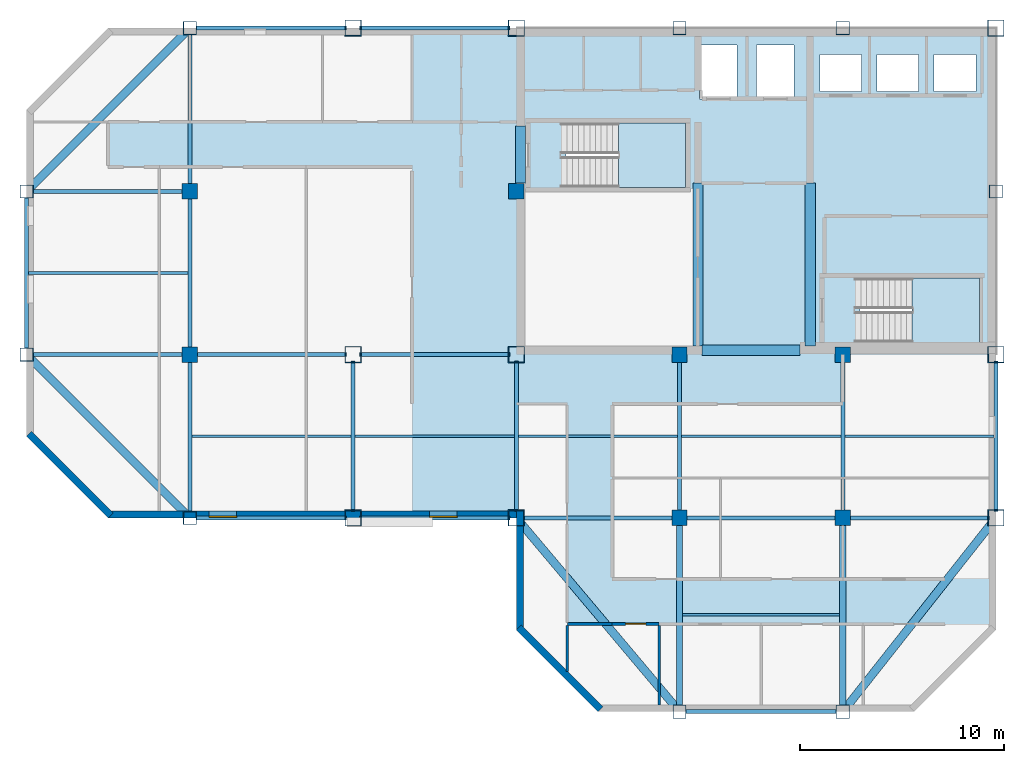
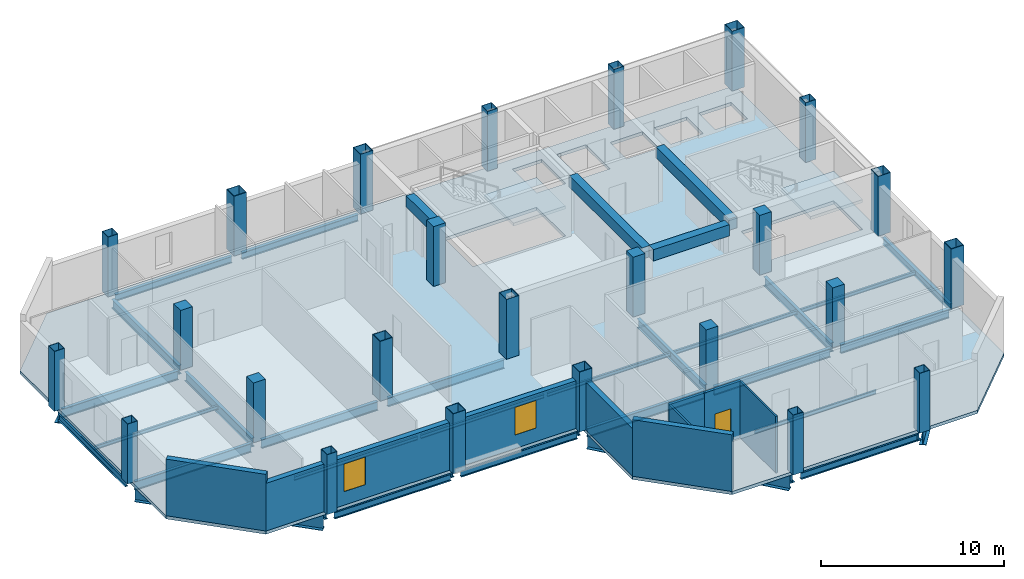
# One storey, part 1 of 7: 38 beams, 25 columns, 8 walls, 3 slabs, 2 windows, 1 door, 3 openings, 2 elements without a shape of their own.
"""IFC4 building model written with IfcOpenShell, lengths in metres."""

from ifc_helpers import new_model, si_unit, direction, frame, frame_2d, origin, origin_2d, place, context, subcontext, project, spatial, polyline, rectangle, hollow_rectangle, i_section, outline, extrude, material, layer, layer_set, material_profile, profile_set, type_object, element, fill, aggregate, save


model = new_model("IFC4")

# Units and contexts
model_context = context("Model", 3, precision=1e-05, world=origin(), true_north=direction((0.0, 1.0)))
body_context = subcontext(model_context, "Body", "Model", "MODEL_VIEW")
ifc_project = project(units=[si_unit("LENGTHUNIT", "METRE"), si_unit("AREAUNIT", "SQUARE_METRE"), si_unit("VOLUMEUNIT", "CUBIC_METRE"), si_unit("PLANEANGLEUNIT", "RADIAN"), si_unit("MASSUNIT", "GRAM", prefix="KILO")], contexts=[model_context])

# Site, building, storey
site_placement = place(None, origin())
site = spatial("IfcSite", under=ifc_project, at=site_placement, CompositionType="ELEMENT")
building_placement = place(site_placement, origin())
building = spatial("IfcBuilding", under=site, at=building_placement, Name="Qianrong Seaharbour Tower", CompositionType="ELEMENT")
storey_placement = place(building_placement, frame((0.0, 0.0, 351.199951171875)))
storey = spatial("IfcBuildingStorey", under=building, at=storey_placement, Name="L85", CompositionType="ELEMENT", Elevation=351.199951171875)

# Columns
ifc_material_1 = material(Name="Structural steel SN490B", Category="steel")
ifc_material_profile_1 = material_profile(ifc_material_1, hollow_rectangle(XDim=0.800048828125, YDim=0.800048828125, WallThickness=0.031982421875, at=origin_2d()), Name="BOX800x800x32")
ifc_profile_set_1 = profile_set([ifc_material_profile_1], Name="Structural steel SN490B")
column_type_1 = type_object("IfcColumnType", Name="COL-CFT-800", PredefinedType="COLUMN", material=ifc_profile_set_1)
for number, where, z_axis, x_axis, name in (
    (1, (32.5, 28.0, 0.0), (0.0, 0.0, 1.0), (1.0, 0.0, 0.0), "L85 Column MC-5 at G5/GE"),
    (2, (32.5, 36.0, 0.0), (0.0, 0.0, 1.0), (1.0, 0.0, 0.0), "L85 Column MC-5 at G5/GF"),
    (3, (32.5, 52.0, 0.0), (0.0, 0.0, 1.0), (1.0, 0.0, 0.0), "L85 Column MC-5 at G5/GH"),
    (4, (40.5, 28.0, 0.0), (0.0, 0.0, 1.0), (1.0, 0.0, 0.0), "L85 Column MC-5 at G6/GE"),
    (5, (40.5, 36.0, 0.0), (0.0, 0.0, 1.0), (1.0, 0.0, 0.0), "L85 Column MC-5 at G6/GF"),
    (6, (40.5, 52.0, 0.0), (0.0, 0.0, 1.0), (1.0, 0.0, 0.0), "L85 Column MC-5 at G6/GH"),
    (7, (64.0, 28.0, 0.0), (0.0, 0.0, 1.0), (1.0, 0.0, 0.0), "L85 Column MC-5 at G9/GE"),
    (8, (64.0, 36.0, 0.0), (0.0, 0.0, 1.0), (1.0, 0.0, 0.0), "L85 Column MC-5 at G9/GF"),
    (9, (64.0, 52.0, 0.0), (0.0, 0.0, 1.0), (1.0, 0.0, 0.0), "L85 Column MC-5 at G9/GH"),
):
    element("IfcColumn", number, at=place(storey_placement, frame(where, z_axis=z_axis, x_axis=x_axis)), inside=storey, type_object=column_type_1, Name=name, PredefinedType="COLUMN", context=body_context, shape_type="SweptSolid", body=[
        extrude(hollow_rectangle(XDim=0.800048828125, YDim=0.800048828125, WallThickness=0.031982421875, at=origin_2d()), origin(), (0.0, 0.0, 1.0), 4.0),
    ])
ifc_material_2 = material(Name="Concrete C50/60", Category="concrete")
ifc_material_profile_2 = material_profile(ifc_material_2, rectangle(XDim=0.75, YDim=0.75, at=origin_2d()), Name="RC750x750")
ifc_profile_set_2 = profile_set([ifc_material_profile_2], Name="Concrete C50/60")
column_type_2 = type_object("IfcColumnType", Name="COL-INT-RC750", PredefinedType="COLUMN", material=ifc_profile_set_2)
for number, where, z_axis, x_axis, name in (
    (10, (24.5, 36.0, 0.0), (0.0, 0.0, 1.0), (1.0, 0.0, 0.0), "L85 Column IC-4 at G4/GF"),
    (11, (24.5, 44.0, 0.0), (0.0, 0.0, 1.0), (1.0, 0.0, 0.0), "L85 Column IC-4 at G4/GG"),
    (12, (40.5, 44.0, 0.0), (0.0, 0.0, 1.0), (1.0, 0.0, 0.0), "L85 Column IC-4 at G6/GG"),
    (13, (48.5, 28.0, 0.0), (0.0, 0.0, 1.0), (1.0, 0.0, 0.0), "L85 Column IC-4 at G7/GE"),
    (14, (48.5, 36.0, 0.0), (0.0, 0.0, 1.0), (1.0, 0.0, 0.0), "L85 Column IC-4 at G7/GF"),
    (15, (56.5, 28.0, 0.0), (0.0, 0.0, 1.0), (1.0, 0.0, 0.0), "L85 Column IC-4 at G8/GE"),
    (16, (56.5, 36.0, 0.0), (0.0, 0.0, 1.0), (1.0, 0.0, 0.0), "L85 Column IC-4 at G8/GF"),
):
    element("IfcColumn", number, at=place(storey_placement, frame(where, z_axis=z_axis, x_axis=x_axis)), inside=storey, type_object=column_type_2, Name=name, PredefinedType="COLUMN", context=body_context, shape_type="SweptSolid", body=[
        extrude(rectangle(XDim=0.75, YDim=0.75, at=origin_2d()), origin(), (0.0, 0.0, 1.0), 4.0),
    ])
ifc_material_3 = material(Name="Structural steel SN400B", Category="steel")
ifc_material_profile_3 = material_profile(ifc_material_3, hollow_rectangle(XDim=0.64990234375, YDim=0.64990234375, WallThickness=0.028076171875, at=origin_2d()), Name="BOX650x650x28")
ifc_profile_set_3 = profile_set([ifc_material_profile_3], Name="Structural steel SN400B")
column_type_3 = type_object("IfcColumnType", Name="COL-PER-650", PredefinedType="COLUMN", material=ifc_profile_set_3)
for number, where, z_axis, x_axis, name in (
    (17, (16.5, 36.0, 0.0), (0.0, 0.0, 1.0), (1.0, 0.0, 0.0), "L85 Column PC-4 at G3/GF"),
    (18, (16.5, 44.0, 0.0), (0.0, 0.0, 1.0), (1.0, 0.0, 0.0), "L85 Column PC-4 at G3/GG"),
    (19, (24.5, 28.0, 0.0), (0.0, 0.0, 1.0), (1.0, 0.0, 0.0), "L85 Column PC-4 at G4/GE"),
    (20, (24.5, 52.0, 0.0), (0.0, 0.0, 1.0), (1.0, 0.0, 0.0), "L85 Column PC-4 at G4/GH"),
    (21, (48.5, 18.5, 0.0), (0.0, 0.0, 1.0), (1.0, 0.0, 0.0), "L85 Column PC-4 at G7/GD"),
    (22, (48.5, 52.0, 0.0), (0.0, 0.0, 1.0), (1.0, 0.0, 0.0), "L85 Column PC-4 at G7/GH"),
    (23, (56.5, 18.5, 0.0), (0.0, 0.0, 1.0), (1.0, 0.0, 0.0), "L85 Column PC-4 at G8/GD"),
    (24, (56.5, 52.0, 0.0), (0.0, 0.0, 1.0), (1.0, 0.0, 0.0), "L85 Column PC-4 at G8/GH"),
    (25, (64.0, 44.0, 0.0), (0.0, 0.0, 1.0), (1.0, 0.0, 0.0), "L85 Column PC-4 at G9/GG"),
):
    element("IfcColumn", number, at=place(storey_placement, frame(where, z_axis=z_axis, x_axis=x_axis)), inside=storey, type_object=column_type_3, Name=name, PredefinedType="COLUMN", context=body_context, shape_type="SweptSolid", body=[
        extrude(hollow_rectangle(XDim=0.64990234375, YDim=0.64990234375, WallThickness=0.028076171875, at=origin_2d()), origin(), (0.0, 0.0, 1.0), 4.0),
    ])

# Beams
ifc_material_profile_4 = material_profile(ifc_material_1, i_section(OverallWidth=0.199951171875, OverallDepth=0.60009765625, WebThickness=0.010986328125, FlangeThickness=0.01708984375, FilletRadius=0.02197265625, at=origin_2d()), Name="H600x200x11x17")
ifc_profile_set_4 = profile_set([ifc_material_profile_4], Name="Structural steel SN490B")
beam_type_1 = type_object("IfcBeamType", Name="BM-G-600", PredefinedType="BEAM", material=ifc_profile_set_4)
for number, where, z_axis, x_axis, name in (
    (26, (40.820068359375, 28.0, -0.514892578125), (1.0, 0.0, 0.0), (0.0, 1.0, 0.0), "L85 Primary Girder GE G6-G7"),
    (27, (48.820068359375, 28.0, -0.514892578125), (1.0, 0.0, 0.0), (0.0, 1.0, 0.0), "L85 Primary Girder GE G7-G8"),
):
    element("IfcBeam", number, at=place(storey_placement, frame(where, z_axis=z_axis, x_axis=x_axis)), inside=storey, type_object=beam_type_1, Name=name, PredefinedType="BEAM", context=body_context, shape_type="SweptSolid", body=[
        extrude(i_section(OverallWidth=0.199951171875, OverallDepth=0.60009765625, WebThickness=0.010986328125, FlangeThickness=0.01708984375, FilletRadius=0.02197265625, at=origin_2d()), origin(), (0.0, 0.0, 1.0), 7.35986328125),
    ])
beam_1_placement = place(storey_placement, frame((56.820068359375, 28.0, -0.514892578125), z_axis=(1.0, 0.0, 0.0), x_axis=(0.0, 1.0, 0.0)))
element("IfcBeam", 28, at=beam_1_placement, inside=storey, type_object=beam_type_1, Name="L85 Primary Girder GE G8-G9", PredefinedType="BEAM", context=body_context, shape_type="SweptSolid", body=[
    extrude(i_section(OverallWidth=0.199951171875, OverallDepth=0.60009765625, WebThickness=0.010986328125, FlangeThickness=0.01708984375, FilletRadius=0.02197265625, at=origin_2d()), origin(), (0.0, 0.0, 1.0), 6.85986328125),
])
for number, where, z_axis, x_axis, name in (
    (29, (16.820068359375, 36.0, -0.514892578125), (1.0, 0.0, 0.0), (0.0, 1.0, 0.0), "L85 Primary Girder GF G3-G4"),
    (30, (24.820068359375, 36.0, -0.514892578125), (1.0, 0.0, 0.0), (0.0, 1.0, 0.0), "L85 Primary Girder GF G4-G5"),
    (31, (32.820068359375, 36.0, -0.514892578125), (1.0, 0.0, 0.0), (0.0, 1.0, 0.0), "L85 Primary Girder GF G5-G6"),
    (32, (16.820068359375, 44.0, -0.514892578125), (1.0, 0.0, 0.0), (0.0, 1.0, 0.0), "L85 Primary Girder GG G3-G4"),
    (33, (24.5, 28.320068359375, -0.514892578125), (0.0, 1.0, 0.0), (-1.0, 0.0, 0.0), "L85 Primary Girder G4 GE-GF"),
    (34, (24.5, 36.320068359375, -0.514892578125), (0.0, 1.0, 0.0), (-1.0, 0.0, 0.0), "L85 Primary Girder G4 GF-GG"),
    (35, (24.5, 44.320068359375, -0.514892578125), (0.0, 1.0, 0.0), (-1.0, 0.0, 0.0), "L85 Primary Girder G4 GG-GH"),
    (36, (32.5, 28.320068359375, -0.514892578125), (0.0, 1.0, 0.0), (-1.0, 0.0, 0.0), "L85 Primary Girder G5 GE-GF"),
    (37, (40.5, 28.320068359375, -0.514892578125), (0.0, 1.0, 0.0), (-1.0, 0.0, 0.0), "L85 Primary Girder G6 GE-GF"),
    (38, (48.5, 28.320068359375, -0.514892578125), (0.0, 1.0, 0.0), (-1.0, 0.0, 0.0), "L85 Primary Girder G7 GE-GF"),
    (39, (56.5, 28.320068359375, -0.514892578125), (0.0, 1.0, 0.0), (-1.0, 0.0, 0.0), "L85 Primary Girder G8 GE-GF"),
):
    element("IfcBeam", number, at=place(storey_placement, frame(where, z_axis=z_axis, x_axis=x_axis)), inside=storey, type_object=beam_type_1, Name=name, PredefinedType="BEAM", context=body_context, shape_type="SweptSolid", body=[
        extrude(i_section(OverallWidth=0.199951171875, OverallDepth=0.60009765625, WebThickness=0.010986328125, FlangeThickness=0.01708984375, FilletRadius=0.02197265625, at=origin_2d()), origin(), (0.0, 0.0, 1.0), 7.35986328125),
    ])
ifc_material_profile_5 = material_profile(ifc_material_1, i_section(OverallWidth=0.300048828125, OverallDepth=0.800048828125, WebThickness=0.013916015625, FlangeThickness=0.02587890625, FilletRadius=0.028076171875, at=origin_2d()), Name="H800x300x14x26")
ifc_profile_set_5 = profile_set([ifc_material_profile_5], Name="Structural steel SN490B")
beam_type_2 = type_object("IfcBeamType", Name="BM-G-800", PredefinedType="BEAM", material=ifc_profile_set_5)
for number, where, z_axis, x_axis, name in (
    (40, (48.5, 18.820068359375, -0.614990234375), (0.0, 1.0, 0.0), (-1.0, 0.0, 0.0), "L85 Primary Girder G7 GD-GE"),
    (41, (56.5, 18.820068359375, -0.614990234375), (0.0, 1.0, 0.0), (-1.0, 0.0, 0.0), "L85 Primary Girder G8 GD-GE"),
):
    element("IfcBeam", number, at=place(storey_placement, frame(where, z_axis=z_axis, x_axis=x_axis)), inside=storey, type_object=beam_type_2, Name=name, PredefinedType="BEAM", context=body_context, shape_type="SweptSolid", body=[
        extrude(i_section(OverallWidth=0.300048828125, OverallDepth=0.800048828125, WebThickness=0.013916015625, FlangeThickness=0.02587890625, FilletRadius=0.028076171875, at=origin_2d()), origin(), (0.0, 0.0, 1.0), 8.85986328125),
    ])
ifc_material_profile_6 = material_profile(ifc_material_3, i_section(OverallWidth=0.125, OverallDepth=0.25, WebThickness=0.006103515625, FlangeThickness=0.009033203125, FilletRadius=0.011962890625, at=origin_2d()), Name="H250x125x6x9")
ifc_profile_set_6 = profile_set([ifc_material_profile_6], Name="Structural steel SN400B")
beam_type_3 = type_object("IfcBeamType", Name="BM-J-250", PredefinedType="JOIST", material=ifc_profile_set_6)
for number, where, z_axis, x_axis, name in (
    (42, (16.60009765625, 40.0, -0.33984375), (1.0, 0.0, 0.0), (0.0, 1.0, 0.0), "L85 Composite Floor Joist G3-G4/GF-GG"),
    (43, (24.60009765625, 32.0, -0.33984375), (1.0, 0.0, 0.0), (0.0, 1.0, 0.0), "L85 Composite Floor Joist G4-G5/GE-GF"),
    (44, (32.60009765625, 32.0, -0.33984375), (1.0, 0.0, 0.0), (0.0, 1.0, 0.0), "L85 Composite Floor Joist G5-G6/GE-GF"),
    (45, (40.60009765625, 32.0, -0.33984375), (1.0, 0.0, 0.0), (0.0, 1.0, 0.0), "L85 Composite Floor Joist G6-G7/GE-GF"),
):
    element("IfcBeam", number, at=place(storey_placement, frame(where, z_axis=z_axis, x_axis=x_axis)), inside=storey, type_object=beam_type_3, Name=name, PredefinedType="JOIST", context=body_context, shape_type="SweptSolid", body=[
        extrude(i_section(OverallWidth=0.125, OverallDepth=0.25, WebThickness=0.006103515625, FlangeThickness=0.009033203125, FilletRadius=0.011962890625, at=origin_2d()), origin(), (0.0, 0.0, 1.0), 7.7998046875),
    ])
beam_2_placement = place(storey_placement, frame((48.64990234375, 23.25, -0.33984375), z_axis=(1.0, 0.0, 0.0), x_axis=(0.0, 1.0, 0.0)))
element("IfcBeam", 46, at=beam_2_placement, inside=storey, type_object=beam_type_3, Name="L85 Composite Floor Joist G7-G8/GD-GE", PredefinedType="JOIST", context=body_context, shape_type="SweptSolid", body=[
    extrude(i_section(OverallWidth=0.125, OverallDepth=0.25, WebThickness=0.006103515625, FlangeThickness=0.009033203125, FilletRadius=0.011962890625, at=origin_2d()), origin(), (0.0, 0.0, 1.0), 7.7001953125),
])
beam_3_placement = place(storey_placement, frame((48.60009765625, 32.0, -0.33984375), z_axis=(1.0, 0.0, 0.0), x_axis=(0.0, 1.0, 0.0)))
element("IfcBeam", 47, at=beam_3_placement, inside=storey, type_object=beam_type_3, Name="L85 Composite Floor Joist G7-G8/GE-GF", PredefinedType="JOIST", context=body_context, shape_type="SweptSolid", body=[
    extrude(i_section(OverallWidth=0.125, OverallDepth=0.25, WebThickness=0.006103515625, FlangeThickness=0.009033203125, FilletRadius=0.011962890625, at=origin_2d()), origin(), (0.0, 0.0, 1.0), 7.7998046875),
])
beam_4_placement = place(storey_placement, frame((56.60009765625, 32.0, -0.33984375), z_axis=(1.0, 0.0, 0.0), x_axis=(0.0, 1.0, 0.0)))
element("IfcBeam", 48, at=beam_4_placement, inside=storey, type_object=beam_type_3, Name="L85 Composite Floor Joist G8-G9/GE-GF", PredefinedType="JOIST", context=body_context, shape_type="SweptSolid", body=[
    extrude(i_section(OverallWidth=0.125, OverallDepth=0.25, WebThickness=0.006103515625, FlangeThickness=0.009033203125, FilletRadius=0.011962890625, at=origin_2d()), origin(), (0.0, 0.0, 1.0), 7.2998046875),
])
ifc_material_4 = material(Name="Concrete C60/75", Category="concrete")
ifc_material_profile_7 = material_profile(ifc_material_4, rectangle(XDim=0.5, YDim=0.75, at=origin_2d()), Name="RC500x750")
ifc_profile_set_7 = profile_set([ifc_material_profile_7], Name="Concrete C60/75")
beam_type_4 = type_object("IfcBeamType", Name="BM-LINTEL-750", PredefinedType="LINTEL", material=ifc_profile_set_7)
beam_5_placement = place(storey_placement, frame((40.7099609375, 44.39990234375, 3.41015625), z_axis=(0.0, 1.0, 0.0), x_axis=(-1.0, 0.0, 0.0)))
element("IfcBeam", 49, at=beam_5_placement, inside=storey, type_object=beam_type_4, Name="L85 Core Coupling Lintel Beam West", PredefinedType="LINTEL", context=body_context, shape_type="SweptSolid", body=[
    extrude(rectangle(XDim=0.5, YDim=0.75, at=origin_2d()), origin(), (0.0, 0.0, 1.0), 2.800048828125),
])
beam_6_placement = place(storey_placement, frame((49.60009765625, 36.2099609375, 3.41015625), z_axis=(1.0, 0.0, 0.0), x_axis=(0.0, 1.0, 0.0)))
element("IfcBeam", 50, at=beam_6_placement, inside=storey, type_object=beam_type_4, Name="L85 Core Coupling Lintel Beam CBC", PredefinedType="LINTEL", context=body_context, shape_type="SweptSolid", body=[
    extrude(rectangle(XDim=0.5, YDim=0.75, at=origin_2d()), origin(), (0.0, 0.0, 1.0), 4.7998046875),
])
for number, where, z_axis, x_axis, name in (
    (51, (49.39990234375, 36.419921875, 3.41015625), (0.0, 1.0, 0.0), (-1.0, 0.0, 0.0), "L85 Internal Core Coupling Beam IW1"),
    (52, (54.89990234375, 36.419921875, 3.41015625), (0.0, 1.0, 0.0), (-1.0, 0.0, 0.0), "L85 Internal Core Coupling Beam IW2"),
):
    element("IfcBeam", number, at=place(storey_placement, frame(where, z_axis=z_axis, x_axis=x_axis)), inside=storey, type_object=beam_type_4, Name=name, PredefinedType="LINTEL", context=body_context, shape_type="SweptSolid", body=[
        extrude(rectangle(XDim=0.5, YDim=0.75, at=origin_2d()), origin(), (0.0, 0.0, 1.0), 7.97998046875),
    ])
ifc_material_profile_8 = material_profile(ifc_material_3, i_section(OverallWidth=0.199951171875, OverallDepth=0.449951171875, WebThickness=0.009033203125, FlangeThickness=0.013916015625, FilletRadius=0.01806640625, at=origin_2d()), Name="H450x200x9x14")
ifc_profile_set_8 = profile_set([ifc_material_profile_8], Name="Structural steel SN400B")
beam_type_5 = type_object("IfcBeamType", Name="BM-SP-450", PredefinedType="SPANDREL", material=ifc_profile_set_8)
for number, where, z_axis, x_axis, name in (
    (53, (48.820068359375, 18.5, -0.43994140625), (1.0, 0.0, 0.0), (0.0, 1.0, 0.0), "L85 Spandrel Girder GD G7-G8"),
    (54, (24.820068359375, 28.0, -0.43994140625), (1.0, 0.0, 0.0), (0.0, 1.0, 0.0), "L85 Spandrel Girder GE G4-G5"),
    (55, (32.820068359375, 28.0, -0.43994140625), (1.0, 0.0, 0.0), (0.0, 1.0, 0.0), "L85 Spandrel Girder GE G5-G6"),
    (56, (24.820068359375, 52.0, -0.43994140625), (1.0, 0.0, 0.0), (0.0, 1.0, 0.0), "L85 Spandrel Girder GH G4-G5"),
    (57, (32.820068359375, 52.0, -0.43994140625), (1.0, 0.0, 0.0), (0.0, 1.0, 0.0), "L85 Spandrel Girder GH G5-G6"),
    (58, (16.5, 36.320068359375, -0.43994140625), (0.0, 1.0, 0.0), (-1.0, 0.0, 0.0), "L85 Spandrel Girder G3 GF-GG"),
    (59, (64.0, 28.320068359375, -0.43994140625), (0.0, 1.0, 0.0), (-1.0, 0.0, 0.0), "L85 Spandrel Girder G9 GE-GF"),
):
    element("IfcBeam", number, at=place(storey_placement, frame(where, z_axis=z_axis, x_axis=x_axis)), inside=storey, type_object=beam_type_5, Name=name, PredefinedType="SPANDREL", context=body_context, shape_type="SweptSolid", body=[
        extrude(i_section(OverallWidth=0.199951171875, OverallDepth=0.449951171875, WebThickness=0.009033203125, FlangeThickness=0.013916015625, FilletRadius=0.01806640625, at=origin_2d()), origin(), (0.0, 0.0, 1.0), 7.35986328125),
    ])
ifc_material_profile_9 = material_profile(ifc_material_1, i_section(OverallWidth=0.39990234375, OverallDepth=1.10009765625, WebThickness=0.02001953125, FlangeThickness=0.035888671875, at=origin_2d()), Name="BH1100x400x20x36")
ifc_profile_set_9 = profile_set([ifc_material_profile_9], Name="Structural steel SN490B")
beam_type_6 = type_object("IfcBeamType", Name="BM-TG-1100", PredefinedType="BEAM", material=ifc_profile_set_9)
for number, where, z_axis, x_axis, name in (
    (60, (24.273681640625, 28.226318359375, -0.764892578125), (-0.707106781187, 0.707106781187, 0.0), (-0.707106781187, -0.707106781187, 0.0), "L85 Chamfer Corner Spandrel Girder G3/GE"),
    (61, (24.273681640625, 51.773681640625, -0.764892578125), (-0.707106781187, -0.707106781187, 0.0), (0.707106781187, -0.707106781187, 0.0), "L85 Chamfer Corner Spandrel Girder G3/GH"),
):
    element("IfcBeam", number, at=place(storey_placement, frame(where, z_axis=z_axis, x_axis=x_axis)), inside=storey, type_object=beam_type_6, Name=name, PredefinedType="BEAM", context=body_context, shape_type="SweptSolid", body=[
        extrude(i_section(OverallWidth=0.39990234375, OverallDepth=1.10009765625, WebThickness=0.02001953125, FlangeThickness=0.035888671875, at=origin_2d()), origin(), (0.0, 0.0, 1.0), 10.673583984375),
    ])
beam_7_placement = place(storey_placement, frame((48.2939453125, 18.744873046875, -0.764892578125), z_axis=(-0.644151063101, 0.764898299061, 0.0), x_axis=(-0.764898299061, -0.644151063101, 0.0)))
element("IfcBeam", 62, at=beam_7_placement, inside=storey, type_object=beam_type_6, Name="L85 Chamfer Corner Spandrel Girder G6/GD", PredefinedType="BEAM", context=body_context, shape_type="SweptSolid", body=[
    extrude(i_section(OverallWidth=0.39990234375, OverallDepth=1.10009765625, WebThickness=0.02001953125, FlangeThickness=0.035888671875, at=origin_2d()), origin(), (0.0, 0.0, 1.0), 11.77978515625),
])
beam_8_placement = place(storey_placement, frame((56.6982421875, 18.751220703125, -0.764892578125), z_axis=(0.619653955715, 0.784875133487, 0.0), x_axis=(-0.784875133487, 0.619653955715, 0.0)))
element("IfcBeam", 63, at=beam_8_placement, inside=storey, type_object=beam_type_6, Name="L85 Chamfer Corner Spandrel Girder G9/GD", PredefinedType="BEAM", context=body_context, shape_type="SweptSolid", body=[
    extrude(i_section(OverallWidth=0.39990234375, OverallDepth=1.10009765625, WebThickness=0.02001953125, FlangeThickness=0.035888671875, at=origin_2d()), origin(), (0.0, 0.0, 1.0), 11.463623046875),
])

# Stair, slab
stair_type = type_object("IfcStairType", Name="STAIR-DOGLEG-1500-R22", PredefinedType="HALF_TURN_STAIR", material=ifc_material_2)
stair_1_placement = place(storey_placement, origin())
stair_1 = element("IfcStair", 64, at=stair_1_placement, inside=storey, type_object=stair_type, Name="L85 Protected Escape Stair ST-1", PredefinedType="HALF_TURN_STAIR")
ifc_layer_1 = layer(ifc_material_2, 0.199951171875)
ifc_layer_set_1 = layer_set([ifc_layer_1], Name="Concrete C50/60")
slab_type_1 = type_object("IfcSlabType", Name="SLAB-STAIR-LANDING-200", PredefinedType="LANDING", material=ifc_layer_set_1)
slab_1_placement = place(storey_placement, frame((0.0, 0.0, 1.800048828125)))
slab_1 = element("IfcSlab", 65, at=slab_1_placement, type_object=slab_type_1, Name="ST-1 landing 1", PredefinedType="LANDING", context=body_context, shape_type="SweptSolid", body=[
    extrude(outline(polyline([(45.5, 44.199951171875), (48.800048828125, 44.199951171875), (48.800048828125, 47.35009765625), (45.5, 47.35009765625), (45.5, 44.199951171875)])), origin(), (0.0, 0.0, 1.0), 0.199951171875),
])
aggregate(stair_1, [slab_1])

stair_2_placement = place(storey_placement, origin())
stair_2 = element("IfcStair", 66, at=stair_2_placement, inside=storey, type_object=stair_type, Name="L85 Protected Escape Stair ST-2", PredefinedType="HALF_TURN_STAIR")
slab_2_placement = place(storey_placement, frame((0.0, 0.0, 1.800048828125)))
slab_2 = element("IfcSlab", 67, at=slab_2_placement, type_object=slab_type_1, Name="ST-2 landing 1", PredefinedType="LANDING", context=body_context, shape_type="SweptSolid", body=[
    extrude(outline(polyline([(59.89990234375, 36.60009765625), (63.199951171875, 36.60009765625), (63.199951171875, 39.75), (59.89990234375, 39.75), (59.89990234375, 36.60009765625)])), origin(), (0.0, 0.0, 1.0), 0.199951171875),
])
aggregate(stair_2, [slab_2])

# Slab
ifc_layer_2 = layer(ifc_material_2, 0.215087890625)
ifc_layer_set_2 = layer_set([ifc_layer_2], Name="Concrete C50/60")
slab_type_2 = type_object("IfcSlabType", Name="SLAB-Z4-215", PredefinedType="FLOOR", material=ifc_layer_set_2)
slab_3_placement = place(storey_placement, frame((0.0, 0.0, -0.21484375)))
element("IfcSlab", 68, at=slab_3_placement, inside=storey, type_object=slab_type_2, Name="L85 Structural Floor Slab", PredefinedType="FLOOR", context=body_context, shape_type="SweptSolid", body=[
    extrude(outline(polyline([(44.5, 18.5), (60.0, 18.5), (64.0, 22.5), (64.0, 52.0), (20.5, 52.0), (16.5, 48.0), (16.5, 32.0), (20.5, 28.0), (40.5, 28.0), (40.5, 22.5), (44.5, 18.5)]), holes=[polyline([(42.93994140625, 44.199951171875), (42.93994140625, 47.35009765625), (48.800048828125, 47.35009765625), (48.800048828125, 44.199951171875), (42.93994140625, 44.199951171875)]), polyline([(57.340087890625, 36.60009765625), (57.340087890625, 39.75), (63.199951171875, 39.75), (63.199951171875, 36.60009765625), (57.340087890625, 36.60009765625)]), polyline([(49.47998046875, 48.530029296875), (49.47998046875, 51.169921875), (51.320068359375, 51.169921875), (51.320068359375, 48.530029296875), (49.47998046875, 48.530029296875)]), polyline([(52.280029296875, 48.530029296875), (52.280029296875, 51.169921875), (54.1201171875, 51.169921875), (54.1201171875, 48.530029296875), (52.280029296875, 48.530029296875)]), polyline([(55.3798828125, 48.89990234375), (55.3798828125, 50.699951171875), (57.419921875, 50.699951171875), (57.419921875, 48.89990234375), (55.3798828125, 48.89990234375)]), polyline([(58.179931640625, 48.89990234375), (58.179931640625, 50.699951171875), (60.219970703125, 50.699951171875), (60.219970703125, 48.89990234375), (58.179931640625, 48.89990234375)]), polyline([(60.97998046875, 48.89990234375), (60.97998046875, 50.699951171875), (63.02001953125, 50.699951171875), (63.02001953125, 48.89990234375), (60.97998046875, 48.89990234375)])]), origin(), (0.0, 0.0, 1.0), 0.21484375),
])

# Wall
ifc_material_5 = material(Name="Fire-rated acoustic gypsum board partition")
ifc_layer_3 = layer(ifc_material_5, 0.1650390625)
ifc_layer_set_3 = layer_set([ifc_layer_3], Name="Fire-rated acoustic gypsum board partition")
wall_type_1 = type_object("IfcWallType", Name="WALL-CORR-PART-165", PredefinedType="PARTITIONING", material=ifc_layer_set_3)
wall_1_placement = place(storey_placement, frame((45.199951171875, 22.800048828125, 0.0), z_axis=(0.0, 0.0, 1.0), x_axis=(-1.0, 0.0, 0.0)))
element("IfcWall", 69, at=wall_1_placement, inside=storey, type_object=wall_type_1, Name="L85 Interior Partition Wall 030", PredefinedType="PARTITIONING", context=body_context, shape_type="SweptSolid", body=[
    extrude(rectangle(XDim=2.199951171875, YDim=0.1650390625, at=frame_2d((1.10009765625, 0.0))), origin(), (0.0, 0.0, 1.0), 3.78515625),
])

# Wall, opening, door
wall_2_placement = place(storey_placement, frame((47.5, 22.800048828125, 0.0), z_axis=(0.0, 0.0, 1.0), x_axis=(-1.0, 0.0, 0.0)))
wall_2 = element("IfcWall", 70, at=wall_2_placement, inside=storey, type_object=wall_type_1, Name="L85 Interior Partition Wall 034", PredefinedType="PARTITIONING", context=body_context, shape_type="SweptSolid", body=[
    extrude(rectangle(XDim=2.300048828125, YDim=0.1650390625, at=frame_2d((1.14990234375, 0.0))), origin(), (0.0, 0.0, 1.0), 3.78515625),
])
opening_1_placement = place(wall_2_placement, frame((0.64990234375, 0.0, 0.0)))
opening_1 = element("IfcOpeningElement", 71, at=opening_1_placement, cuts=wall_2, Name="Opening DO-01", PredefinedType="OPENING", context=body_context, shape_type="SweptSolid", body=[
    extrude(rectangle(XDim=1.0, YDim=2.14990234375, at=frame_2d((0.5, 1.074951171875))), frame((0.0, 0.092529296875, 0.0), z_axis=(0.0, -1.0, 0.0), x_axis=(1.0, 0.0, 0.0)), (0.0, 0.0, 1.0), 0.18505859375),
])
ifc_material_6 = material(Name="Acoustic timber and galvanized steel fire door assembly", Category="steel")
door_type = type_object("IfcDoorType", Name="DOOR-OFFICE-1000x2150", OperationType="NOTDEFINED", PredefinedType="DOOR", material=ifc_material_6)
door_placement = place(opening_1_placement, origin())
door = element("IfcDoor", 72, at=door_placement, inside=storey, type_object=door_type, Name="L85 Harbour Trade Lounge 1 Door", OperationType="SINGLE_SWING_RIGHT", OverallHeight=2.14990234375, OverallWidth=1.0, PredefinedType="DOOR", context=body_context, shape_type="SweptSolid", body=[
    extrude(rectangle(XDim=1.0, YDim=2.14990234375, at=frame_2d((0.5, 1.074951171875))), frame((0.0, 0.02490234375, 0.0), z_axis=(0.0, -1.0, 0.0), x_axis=(1.0, 0.0, 0.0)), (0.0, 0.0, 1.0), 0.050048828125),
])
fill(opening_1, door)

# Walls
ifc_material_7 = material(Name="Demountable aluminium-framed acoustic office partition", Category="aluminium")
ifc_layer_4 = layer(ifc_material_7, 0.110107421875)
ifc_layer_set_4 = layer_set([ifc_layer_4], Name="Demountable aluminium-framed acoustic office partition")
wall_type_2 = type_object("IfcWallType", Name="WALL-DEMOUNT-110", PredefinedType="MOVABLE", material=ifc_layer_set_4)
wall_3_placement = place(storey_placement, frame((47.5, 22.7255859375, 0.0), z_axis=(0.0, 0.0, 1.0), x_axis=(0.0, -1.0, 0.0)))
element("IfcWall", 73, at=wall_3_placement, inside=storey, type_object=wall_type_2, Name="L85 Interior Partition Wall 049", PredefinedType="MOVABLE", context=body_context, shape_type="SweptSolid", body=[
    extrude(rectangle(XDim=3.8935546875, YDim=0.110107421875, at=frame_2d((1.94677734375, 0.0))), origin(), (0.0, 0.0, 1.0), 3.78515625),
])
ifc_material_8 = material(Name="Unitised buff brick on Precast concrete C45/55", Category="masonry")
ifc_layer_5 = layer(ifc_material_8, 0.340087890625)
ifc_layer_set_5 = layer_set([ifc_layer_5], Name="Unitised buff brick on Precast concrete C45/55")
wall_type_3 = type_object("IfcWallType", Name="WALL-EXT-BRICK-BUFF-340", PredefinedType="SOLIDWALL", material=ifc_layer_set_5)
wall_4_placement = place(storey_placement, frame((40.669921875, 22.5, 0.0), z_axis=(0.0, 0.0, 1.0), x_axis=(0.0, 1.0, 0.0)))
element("IfcWall", 74, at=wall_4_placement, inside=storey, type_object=wall_type_3, Name="L85 Exterior Masonry Facade Wall REENTRANT_WEST", PredefinedType="SOLIDWALL", context=body_context, shape_type="SweptSolid", body=[
    extrude(rectangle(XDim=5.840087890625, YDim=0.340087890625, at=frame_2d((2.919921875, 0.0))), origin(), (0.0, 0.0, 1.0), 3.18505859375),
])

# Wall, openings, windows
wall_5_placement = place(storey_placement, frame((40.52001953125, 28.169921875, 0.0), z_axis=(0.0, 0.0, 1.0), x_axis=(-1.0, 0.0, 0.0)))
wall_5 = element("IfcWall", 75, at=wall_5_placement, inside=storey, type_object=wall_type_3, Name="L85 Exterior Masonry Facade Wall HARBOUR_RIBBON", PredefinedType="SOLIDWALL", context=body_context, shape_type="SweptSolid", body=[
    extrude(rectangle(XDim=20.02001953125, YDim=0.340087890625, at=frame_2d((10.010009765625, 0.0))), origin(), (0.0, 0.0, 1.0), 3.18505859375),
])
opening_2_placement = place(wall_5_placement, frame((2.925048828125, 0.0, 0.89990234375)))
opening_2 = element("IfcOpeningElement", 76, at=opening_2_placement, cuts=wall_5, Name="Opening WN-02", PredefinedType="OPENING", context=body_context, shape_type="SweptSolid", body=[
    extrude(rectangle(XDim=1.35009765625, YDim=1.85009765625, at=frame_2d((0.675048828125, 0.925048828125))), frame((0.0, 0.18017578125, 0.0), z_axis=(0.0, -1.0, 0.0), x_axis=(1.0, 0.0, 0.0)), (0.0, 0.0, 1.0), 0.360107421875),
])
opening_3_placement = place(wall_5_placement, frame((13.72509765625, 0.0, 0.89990234375)))
opening_3 = element("IfcOpeningElement", 77, at=opening_3_placement, cuts=wall_5, Name="Opening WN-02", PredefinedType="OPENING", context=body_context, shape_type="SweptSolid", body=[
    extrude(rectangle(XDim=1.35009765625, YDim=1.85009765625, at=frame_2d((0.675048828125, 0.925048828125))), frame((0.0, 0.18017578125, 0.0), z_axis=(0.0, -1.0, 0.0), x_axis=(1.0, 0.0, 0.0)), (0.0, 0.0, 1.0), 0.360107421875),
])
ifc_material_9 = material(Name="Insulated low-e double glazing in thermally broken aluminium 6063-T6 frame", Category="aluminium")
window_type = type_object("IfcWindowType", Name="WIN-PUNCH-1350x1850", PartitioningType="DOUBLE_PANEL_VERTICAL", PredefinedType="WINDOW", material=ifc_material_9)
window_1_placement = place(opening_2_placement, origin())
window_1 = element("IfcWindow", 78, at=window_1_placement, inside=storey, type_object=window_type, Name="L85 Deep-Set Punched Window 01.01", OverallHeight=1.85009765625, OverallWidth=1.35009765625, PartitioningType="DOUBLE_PANEL_VERTICAL", PredefinedType="WINDOW", context=body_context, shape_type="SweptSolid", body=[
    extrude(rectangle(XDim=1.35009765625, YDim=1.85009765625, at=frame_2d((0.675048828125, 0.925048828125))), frame((0.0, 0.150146484375, 0.0), z_axis=(0.0, -1.0, 0.0), x_axis=(1.0, 0.0, 0.0)), (0.0, 0.0, 1.0), 0.06005859375),
])
fill(opening_2, window_1)
window_2_placement = place(opening_3_placement, origin())
window_2 = element("IfcWindow", 79, at=window_2_placement, inside=storey, type_object=window_type, Name="L85 Deep-Set Punched Window 01.04", OverallHeight=1.85009765625, OverallWidth=1.35009765625, PartitioningType="DOUBLE_PANEL_VERTICAL", PredefinedType="WINDOW", context=body_context, shape_type="SweptSolid", body=[
    extrude(rectangle(XDim=1.35009765625, YDim=1.85009765625, at=frame_2d((0.675048828125, 0.925048828125))), frame((0.0, 0.150146484375, 0.0), z_axis=(0.0, -1.0, 0.0), x_axis=(1.0, 0.0, 0.0)), (0.0, 0.0, 1.0), 0.06005859375),
])
fill(opening_3, window_2)

# Walls
for number, where, z_axis, x_axis, name in (
    (80, (20.6201171875, 28.1201171875, 0.0), (0.0, 0.0, 1.0), (-0.707106781187, 0.707106781187, 0.0), "L85 Exterior Masonry Facade Wall E02"),
    (81, (44.6201171875, 18.6201171875, 0.0), (0.0, 0.0, 1.0), (-0.707106781187, 0.707106781187, 0.0), "L85 Exterior Masonry Facade Wall E09"),
):
    element("IfcWall", number, at=place(storey_placement, frame(where, z_axis=z_axis, x_axis=x_axis)), inside=storey, type_object=wall_type_3, Name=name, PredefinedType="SOLIDWALL", context=body_context, shape_type="SweptSolid", body=[
        extrude(rectangle(XDim=5.65673828125, YDim=0.340087890625, at=frame_2d((2.828369140625, 0.0))), origin(), (0.0, 0.0, 1.0), 3.78515625),
    ])
ifc_material_10 = material(Name="Water-resistant cement board sanitary partition")
ifc_layer_6 = layer(ifc_material_10, 0.1298828125)
ifc_layer_set_6 = layer_set([ifc_layer_6], Name="Water-resistant cement board sanitary partition")
wall_type_4 = type_object("IfcWallType", Name="WALL-WET-PART-130", PredefinedType="PARTITIONING", material=ifc_layer_set_6)
wall_6_placement = place(storey_placement, frame((43.0, 22.7255859375, 0.0), z_axis=(0.0, 0.0, 1.0), x_axis=(0.0, -1.0, 0.0)))
element("IfcWall", 82, at=wall_6_placement, inside=storey, type_object=wall_type_4, Name="L85 Interior Partition Wall 048", PredefinedType="PARTITIONING", context=body_context, shape_type="SweptSolid", body=[
    extrude(rectangle(XDim=2.256103515625, YDim=0.1298828125, at=frame_2d((1.1279296875, 0.0))), origin(), (0.0, 0.0, 1.0), 3.78515625),
])

save(model, "model.ifc")
